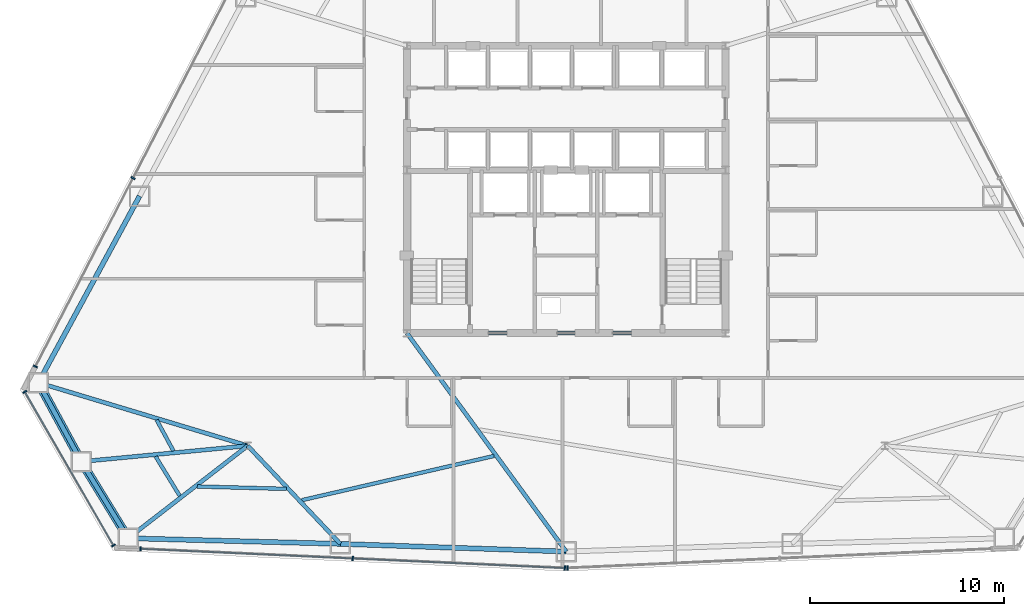
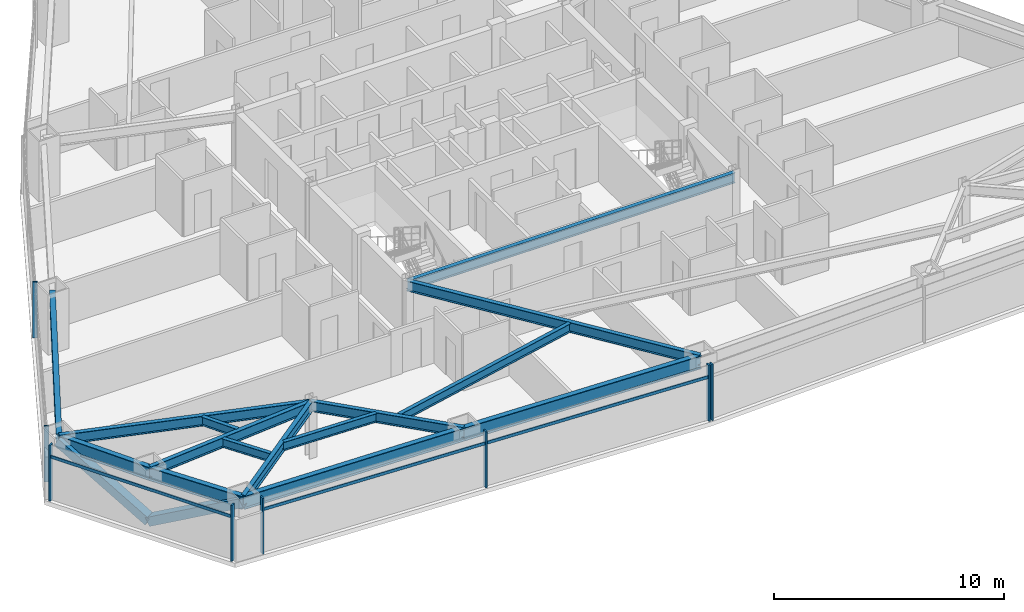
# One storey, part 4 of 13: 15 beams, 12 members, 4 elements without a shape of their own.
"""IFC4 building model written with IfcOpenShell, lengths in metres."""

from ifc_helpers import new_model, si_unit, direction, frame, origin, origin_2d, place, context, subcontext, project, spatial, rectangle, hollow_rectangle, i_section, extrude, source, transform, mapped, material, layer, layer_set, material_profile, profile_set, type_object, type_shapes, element, aggregate, save


model = new_model("IFC4")

# Units and contexts
model_context = context("Model", 3, precision=1e-05, world=origin(), true_north=direction((0.0, 1.0)))
body_context = subcontext(model_context, "Body", "Model", "MODEL_VIEW")
ifc_project = project(units=[si_unit("LENGTHUNIT", "METRE"), si_unit("AREAUNIT", "SQUARE_METRE"), si_unit("VOLUMEUNIT", "CUBIC_METRE"), si_unit("PLANEANGLEUNIT", "RADIAN"), si_unit("MASSUNIT", "GRAM", prefix="KILO")], contexts=[model_context])

# Site, building, storey
site_placement = place(None, origin())
site = spatial("IfcSite", under=ifc_project, at=site_placement, CompositionType="ELEMENT")
building_placement = place(site_placement, origin())
building = spatial("IfcBuilding", under=site, at=building_placement, Name="Varakhsha Concourse Tower", CompositionType="ELEMENT")
storey_placement = place(building_placement, frame((0.0, 0.0, 83.0)))
storey = spatial("IfcBuildingStorey", under=building, at=storey_placement, Name="L23", CompositionType="ELEMENT", Elevation=83.0)

# Beams
ifc_material_1 = material(Name="Structural Steel ASTM A992 Grade 50", Category="steel")
ifc_material_profile_1 = material_profile(ifc_material_1, i_section(OverallWidth=0.19091796875, OverallDepth=0.45703125, WebThickness=0.009033203125, FlangeThickness=0.013916015625, at=origin_2d()), Name="W18X50")
ifc_profile_set_1 = profile_set([ifc_material_profile_1], Name="Structural Steel ASTM A992 Grade 50")
beam_type_1 = type_object("IfcBeamType", Name="BM-JST-W18X50", PredefinedType="JOIST", material=ifc_profile_set_1)
beam_1_placement = place(storey_placement, frame((18.910400390625, 11.93310546875, 2.741455078125), z_axis=(0.477504293562, -0.878629415414, 0.0), x_axis=(0.878629415414, 0.477504293562, 0.0)))
element("IfcBeam", 1, at=beam_1_placement, inside=storey, type_object=beam_type_1, Name="BM-TJST-L23-07", PredefinedType="JOIST", context=body_context, shape_type="SweptSolid", body=[
    extrude(i_section(OverallWidth=0.19091796875, OverallDepth=0.45703125, WebThickness=0.009033203125, FlangeThickness=0.013916015625, at=origin_2d()), origin(), (0.0, 0.0, 1.0), 1.815673828125),
])
beam_2_placement = place(storey_placement, frame((18.859130859375, 10.049560546875, 2.741455078125), z_axis=(0.522107999924, -0.852879379757, 0.0), x_axis=(0.852879379757, 0.522107999924, 0.0)))
element("IfcBeam", 2, at=beam_2_placement, inside=storey, type_object=beam_type_1, Name="BM-TJST-L23-08", PredefinedType="JOIST", context=body_context, shape_type="SweptSolid", body=[
    extrude(i_section(OverallWidth=0.19091796875, OverallDepth=0.45703125, WebThickness=0.009033203125, FlangeThickness=0.013916015625, at=origin_2d()), origin(), (0.0, 0.0, 1.0), 2.370849609375),
])
beam_3_placement = place(storey_placement, frame((21.002685546875, 8.502197265625, 2.741455078125), z_axis=(0.999648856186, -0.026498383477, 0.0), x_axis=(0.026498383477, 0.999648856186, 0.0)))
element("IfcBeam", 3, at=beam_3_placement, inside=storey, type_object=beam_type_1, Name="BM-TJST-L23-09", PredefinedType="JOIST", context=body_context, shape_type="SweptSolid", body=[
    extrude(i_section(OverallWidth=0.19091796875, OverallDepth=0.45703125, WebThickness=0.009033203125, FlangeThickness=0.013916015625, at=origin_2d()), origin(), (0.0, 0.0, 1.0), 4.58837890625),
])
beam_4_placement = place(storey_placement, frame((26.37890625, 7.796142578125, 2.741455078125), z_axis=(0.974514510129, 0.224324473804, 0.0), x_axis=(-0.224324473804, 0.974514510129, 0.0)))
element("IfcBeam", 4, at=beam_4_placement, inside=storey, type_object=beam_type_1, Name="BM-TJST-L23-10", PredefinedType="JOIST", context=body_context, shape_type="SweptSolid", body=[
    extrude(i_section(OverallWidth=0.19091796875, OverallDepth=0.45703125, WebThickness=0.009033203125, FlangeThickness=0.013916015625, at=origin_2d()), origin(), (0.0, 0.0, 1.0), 10.1650390625),
])
ifc_material_profile_2 = material_profile(ifc_material_1, i_section(OverallWidth=0.2109375, OverallDepth=0.5390625, WebThickness=0.011962890625, FlangeThickness=0.01904296875, at=origin_2d()), Name="W21X73")
ifc_profile_set_2 = profile_set([ifc_material_profile_2], Name="Structural Steel ASTM A992 Grade 50")
beam_type_2 = type_object("IfcBeamType", Name="BM-RAD-W21X73", PredefinedType="BEAM", material=ifc_profile_set_2)
beam_5_placement = place(storey_placement, frame((31.800048828125, 16.39990234375, 2.700439453125), z_axis=(1.0, 0.0, 0.0), x_axis=(0.0, 1.0, 0.0)))
element("IfcBeam", 5, at=beam_5_placement, inside=storey, type_object=beam_type_2, Name="BM-TCORE-L23-CS", PredefinedType="BEAM", context=body_context, shape_type="SweptSolid", body=[
    extrude(i_section(OverallWidth=0.2109375, OverallDepth=0.5390625, WebThickness=0.011962890625, FlangeThickness=0.01904296875, at=origin_2d()), origin(), (0.0, 0.0, 1.0), 16.39990234375),
])
beam_6_placement = place(storey_placement, frame((23.60009765625, 10.60009765625, 2.700439453125), z_axis=(-0.957434410413, 0.288650913313, 0.0), x_axis=(-0.288650913313, -0.957434410413, 0.0)))
element("IfcBeam", 6, at=beam_6_placement, inside=storey, type_object=beam_type_2, Name="L23 Radial Floor Girder 07", PredefinedType="BEAM", context=body_context, shape_type="SweptSolid", body=[
    extrude(i_section(OverallWidth=0.2109375, OverallDepth=0.5390625, WebThickness=0.011962890625, FlangeThickness=0.01904296875, at=origin_2d()), origin(), (0.0, 0.0, 1.0), 11.2568359375),
])
beam_7_placement = place(storey_placement, frame((23.60009765625, 10.60009765625, 2.700439453125), z_axis=(-0.995499423712, -0.094767596724, 0.0), x_axis=(0.094767596724, -0.995499423712, 0.0)))
element("IfcBeam", 7, at=beam_7_placement, inside=storey, type_object=beam_type_2, Name="L23 Radial Floor Girder 08", PredefinedType="BEAM", context=body_context, shape_type="SweptSolid", body=[
    extrude(i_section(OverallWidth=0.2109375, OverallDepth=0.5390625, WebThickness=0.011962890625, FlangeThickness=0.01904296875, at=origin_2d()), origin(), (0.0, 0.0, 1.0), 8.607177734375),
])
beam_8_placement = place(storey_placement, frame((23.60009765625, 10.60009765625, 2.700439453125), z_axis=(-0.790863829476, -0.611992159449, 0.0), x_axis=(0.611992159449, -0.790863829476, 0.0)))
element("IfcBeam", 8, at=beam_8_placement, inside=storey, type_object=beam_type_2, Name="L23 Radial Floor Girder 09", PredefinedType="BEAM", context=body_context, shape_type="SweptSolid", body=[
    extrude(i_section(OverallWidth=0.2109375, OverallDepth=0.5390625, WebThickness=0.011962890625, FlangeThickness=0.01904296875, at=origin_2d()), origin(), (0.0, 0.0, 1.0), 7.77978515625),
])
beam_9_placement = place(storey_placement, frame((23.60009765625, 10.60009765625, 2.700439453125), z_axis=(0.686667898497, -0.726971249207, 0.0), x_axis=(0.726971249207, 0.686667898497, 0.0)))
element("IfcBeam", 9, at=beam_9_placement, inside=storey, type_object=beam_type_2, Name="L23 Radial Floor Girder 10", PredefinedType="BEAM", context=body_context, shape_type="SweptSolid", body=[
    extrude(i_section(OverallWidth=0.2109375, OverallDepth=0.5390625, WebThickness=0.011962890625, FlangeThickness=0.01904296875, at=origin_2d()), origin(), (0.0, 0.0, 1.0), 6.947998046875),
])
beam_10_placement = place(storey_placement, frame((31.800048828125, 16.39990234375, 2.700439453125), z_axis=(0.589090089307, -0.808067365187, 0.0), x_axis=(0.808067365187, 0.589090089307, 0.0)))
element("IfcBeam", 10, at=beam_10_placement, inside=storey, type_object=beam_type_2, Name="L23 Radial Floor Girder 11", PredefinedType="BEAM", context=body_context, shape_type="SweptSolid", body=[
    extrude(i_section(OverallWidth=0.2109375, OverallDepth=0.5390625, WebThickness=0.011962890625, FlangeThickness=0.01904296875, at=origin_2d()), origin(), (0.0, 0.0, 1.0), 13.919677734375),
])
ifc_material_profile_3 = material_profile(ifc_material_1, i_section(OverallWidth=0.25390625, OverallDepth=0.701904296875, WebThickness=0.014892578125, FlangeThickness=0.028076171875, at=origin_2d()), Name="W27X129")
ifc_profile_set_3 = profile_set([ifc_material_profile_3], Name="Structural Steel ASTM A992 Grade 50")
beam_type_3 = type_object("IfcBeamType", Name="BM-SPAN-W27X129", PredefinedType="SPANDREL", material=ifc_profile_set_3)
beam_11_placement = place(storey_placement, frame((18.033203125, 23.45458984375, 2.618896484375), z_axis=(-0.476839407103, -0.878990432163, 0.0), x_axis=(0.878990432163, -0.476839407103, 0.0)))
element("IfcBeam", 11, at=beam_11_placement, inside=storey, type_object=beam_type_3, Name="BM-SPAN-L23-06", PredefinedType="SPANDREL", context=body_context, shape_type="SweptSolid", body=[
    extrude(i_section(OverallWidth=0.25390625, OverallDepth=0.701904296875, WebThickness=0.014892578125, FlangeThickness=0.028076171875, at=origin_2d()), origin(), (0.0, 0.0, 1.0), 10.927490234375),
])
beam_12_placement = place(storey_placement, frame((12.822509765625, 13.849365234375, 2.618896484375), z_axis=(0.47751686281, -0.878622584351, 0.0), x_axis=(0.878622584351, 0.47751686281, 0.0)))
element("IfcBeam", 12, at=beam_12_placement, inside=storey, type_object=beam_type_3, Name="BM-SPAN-L23-07", PredefinedType="SPANDREL", context=body_context, shape_type="SweptSolid", body=[
    extrude(i_section(OverallWidth=0.25390625, OverallDepth=0.701904296875, WebThickness=0.014892578125, FlangeThickness=0.028076171875, at=origin_2d()), origin(), (0.0, 0.0, 1.0), 4.62646484375),
])
beam_13_placement = place(storey_placement, frame((15.03173828125, 9.784423828125, 2.618896484375), z_axis=(0.522135058867, -0.852862814468, 0.0), x_axis=(0.852862814468, 0.522135058867, 0.0)))
element("IfcBeam", 13, at=beam_13_placement, inside=storey, type_object=beam_type_3, Name="BM-SPAN-L23-08", PredefinedType="SPANDREL", context=body_context, shape_type="SweptSolid", body=[
    extrude(i_section(OverallWidth=0.25390625, OverallDepth=0.701904296875, WebThickness=0.014892578125, FlangeThickness=0.028076171875, at=origin_2d()), origin(), (0.0, 0.0, 1.0), 4.626220703125),
])
beam_14_placement = place(storey_placement, frame((17.447265625, 5.8388671875, 2.618896484375), z_axis=(0.999648299755, -0.026519366436, 0.0), x_axis=(0.026519366436, 0.999648299755, 0.0)))
element("IfcBeam", 14, at=beam_14_placement, inside=storey, type_object=beam_type_3, Name="BM-SPAN-L23-09", PredefinedType="SPANDREL", context=body_context, shape_type="SweptSolid", body=[
    extrude(i_section(OverallWidth=0.25390625, OverallDepth=0.701904296875, WebThickness=0.014892578125, FlangeThickness=0.028076171875, at=origin_2d()), origin(), (0.0, 0.0, 1.0), 10.927734375),
])
beam_15_placement = place(storey_placement, frame((28.37109375, 5.549072265625, 2.618896484375), z_axis=(0.999417135447, -0.034137799785, 0.0), x_axis=(0.034137799785, 0.999417135447, 0.0)))
element("IfcBeam", 15, at=beam_15_placement, inside=storey, type_object=beam_type_3, Name="BM-SPAN-L23-10", PredefinedType="SPANDREL", context=body_context, shape_type="SweptSolid", body=[
    extrude(i_section(OverallWidth=0.25390625, OverallDepth=0.701904296875, WebThickness=0.014892578125, FlangeThickness=0.028076171875, at=origin_2d()), origin(), (0.0, 0.0, 1.0), 11.6357421875),
])

# Members
ifc_material_2 = material(Name="Structural Steel ASTM A500 Grade C", Category="steel")
ifc_material_profile_4 = material_profile(ifc_material_2, hollow_rectangle(XDim=0.449951171875, YDim=0.449951171875, WallThickness=0.01904296875, at=origin_2d()), Name="HSS 450x450x19")
ifc_profile_set_4 = profile_set([ifc_material_profile_4], Name="Structural Steel ASTM A500 Grade C")
member_type_1 = type_object("IfcMemberType", Name="MB-TUBE-HSS450", PredefinedType="BRACE", material=ifc_profile_set_4)
shared_shape_1 = source(origin(), body_context, "Body", "SweptSolid", [
    extrude(hollow_rectangle(XDim=0.449951171875, YDim=0.449951171875, WallThickness=0.01904296875, at=origin_2d()), origin(), (0.0, 0.0, 1.0), 5.282470703125),
])
member_1_placement = place(storey_placement, frame((15.03173828125, 9.784423828125, 0.1201171875), z_axis=(0.457278846545, -0.746925756925, 0.48269863284), x_axis=(0.852862814468, 0.522135058867, 0.0)))
element("IfcMember", 16, at=member_1_placement, inside=storey, type_object=member_type_1, Name="L23 Wind-Corner Tube Brace B04", PredefinedType="BRACE", context=body_context, shape_type="MappedRepresentation", body=[
    mapped(shared_shape_1, transform((0.0, 0.0, 0.0), scale=1.0)),
])
shared_shape_2 = source(origin(), body_context, "Body", "SweptSolid", [
    extrude(hollow_rectangle(XDim=0.449951171875, YDim=0.449951171875, WallThickness=0.01904296875, at=origin_2d()), origin(), (0.0, 0.0, 1.0), 5.28271484375),
])
type_shapes(member_type_1, [shared_shape_1, shared_shape_2])
member_2_placement = place(storey_placement, frame((15.03173828125, 9.784423828125, 0.1201171875), z_axis=(-0.418207952701, 0.769495238421, 0.48267917538), x_axis=(-0.878622584351, -0.47751686281, 0.0)))
element("IfcMember", 17, at=member_2_placement, inside=storey, type_object=member_type_1, Name="L23 Wind-Corner Tube Brace B03", PredefinedType="BRACE", context=body_context, shape_type="MappedRepresentation", body=[
    mapped(shared_shape_2, transform((0.0, 0.0, 0.0), scale=1.0)),
])

# Curtain wall, members
ifc_material_3 = material(Name="Anodised Bronze Architectural Aluminium AA 6063-T6", Category="aluminium")
ifc_layer = layer(ifc_material_3, 0.199951171875, Name="CW-SYS-03")
ifc_layer_set = layer_set([ifc_layer], Name="Anodised Bronze Architectural Aluminium AA 6063-T6")
curtain_wall_type = type_object("IfcCurtainWallType", Name="CW-SYS-03", PredefinedType="NOTDEFINED", material=ifc_layer_set)
curtain_wall_1_placement = place(storey_placement, origin())
curtain_wall_1 = element("IfcCurtainWall", 18, at=curtain_wall_1_placement, inside=storey, type_object=curtain_wall_type, Name="L23 Crystal Curtain Wall F3", PredefinedType="NOTDEFINED")
ifc_material_profile_5 = material_profile(ifc_material_3, rectangle(XDim=0.074951171875, YDim=0.219970703125, at=origin_2d()), Name="CWM-220X75")
ifc_profile_set_5 = profile_set([ifc_material_profile_5], Name="Anodised Bronze Architectural Aluminium AA 6063-T6")
member_type_2 = type_object("IfcMemberType", Name="CWM-220X75", PredefinedType="MULLION", material=ifc_profile_set_5)
shared_shape_3 = source(origin(), body_context, "Body", "SweptSolid", [
    extrude(rectangle(XDim=0.074951171875, YDim=0.219970703125, at=origin_2d()), origin(), (0.0, 0.0, 1.0), 2.969970703125),
])
type_shapes(member_type_2, [shared_shape_3])
member_3_placement = place(storey_placement, frame((12.672119140625, 14.67626953125, 0.0), z_axis=(0.0, 0.0, 1.0), x_axis=(0.460185838956, 0.887822613828, 0.0)))
member_3 = element("IfcMember", 19, at=member_3_placement, type_object=member_type_2, Name="CW-L23-F3 Mullion 00", PredefinedType="MULLION", context=body_context, shape_type="MappedRepresentation", body=[
    mapped(shared_shape_3, transform((0.0, 0.0, 0.0), scale=1.0)),
])
member_4_placement = place(storey_placement, frame((17.702392578125, 24.380859375, 0.0), z_axis=(0.0, 0.0, 1.0), x_axis=(0.460185838956, 0.887822613828, 0.0)))
member_4 = element("IfcMember", 20, at=member_4_placement, type_object=member_type_2, Name="CW-L23-F3 Mullion 01", PredefinedType="MULLION", context=body_context, shape_type="MappedRepresentation", body=[
    mapped(shared_shape_3, transform((0.0, 0.0, 0.0), scale=1.0)),
])
aggregate(curtain_wall_1, [member_3, member_4])

curtain_wall_2_placement = place(storey_placement, origin())
curtain_wall_2 = element("IfcCurtainWall", 21, at=curtain_wall_2_placement, inside=storey, type_object=curtain_wall_type, Name="L23 Chamfer Curtain Wall F4", PredefinedType="NOTDEFINED")
member_5_placement = place(storey_placement, frame((16.69091796875, 5.470458984375, 0.0), z_axis=(0.0, 0.0, 1.0), x_axis=(-0.499996976998, 0.866027149108, 0.0)))
member_5 = element("IfcMember", 22, at=member_5_placement, type_object=member_type_2, Name="CW-L23-F4 Mullion 00", PredefinedType="MULLION", context=body_context, shape_type="MappedRepresentation", body=[
    mapped(shared_shape_3, transform((0.0, 0.0, 0.0), scale=1.0)),
])
member_6_placement = place(storey_placement, frame((12.125244140625, 13.378662109375, 0.0), z_axis=(0.0, 0.0, 1.0), x_axis=(-0.499996976998, 0.866027149108, 0.0)))
member_6 = element("IfcMember", 23, at=member_6_placement, type_object=member_type_2, Name="CW-L23-F4 Mullion 01", PredefinedType="MULLION", context=body_context, shape_type="MappedRepresentation", body=[
    mapped(shared_shape_3, transform((0.0, 0.0, 0.0), scale=1.0)),
])

curtain_wall_3_placement = place(storey_placement, origin())
curtain_wall_3 = element("IfcCurtainWall", 24, at=curtain_wall_3_placement, inside=storey, type_object=curtain_wall_type, Name="L23 Crystal Curtain Wall F5", PredefinedType="NOTDEFINED")
member_7_placement = place(storey_placement, frame((39.92724609375, 4.30322265625, 0.0), z_axis=(0.0, 0.0, 1.0), x_axis=(-0.998969777905, 0.045380423448, 0.0)))
member_7 = element("IfcMember", 25, at=member_7_placement, type_object=member_type_2, Name="CW-L23-F5 Mullion 00", PredefinedType="MULLION", context=body_context, shape_type="MappedRepresentation", body=[
    mapped(shared_shape_3, transform((0.0, 0.0, 0.0), scale=1.0)),
])
member_8_placement = place(storey_placement, frame((29.0078125, 4.79931640625, 0.0), z_axis=(0.0, 0.0, 1.0), x_axis=(-0.998969777905, 0.045380423448, 0.0)))
member_8 = element("IfcMember", 26, at=member_8_placement, type_object=member_type_2, Name="CW-L23-F5 Mullion 01", PredefinedType="MULLION", context=body_context, shape_type="MappedRepresentation", body=[
    mapped(shared_shape_3, transform((0.0, 0.0, 0.0), scale=1.0)),
])
member_9_placement = place(storey_placement, frame((18.088134765625, 5.29541015625, 0.0), z_axis=(0.0, 0.0, 1.0), x_axis=(-0.998969777905, 0.045380423448, 0.0)))
member_9 = element("IfcMember", 27, at=member_9_placement, type_object=member_type_2, Name="CW-L23-F5 Mullion 02", PredefinedType="MULLION", context=body_context, shape_type="MappedRepresentation", body=[
    mapped(shared_shape_3, transform((0.0, 0.0, 0.0), scale=1.0)),
])

# Curtain wall, member
curtain_wall_4_placement = place(storey_placement, origin())
curtain_wall_4 = element("IfcCurtainWall", 28, at=curtain_wall_4_placement, inside=storey, type_object=curtain_wall_type, Name="L23 Crystal Curtain Wall F6", PredefinedType="NOTDEFINED")
member_10_placement = place(storey_placement, frame((40.07275390625, 4.30322265625, 0.0), z_axis=(0.0, 0.0, 1.0), x_axis=(-0.998969777905, -0.045380423448, 0.0)))
member_10 = element("IfcMember", 29, at=member_10_placement, type_object=member_type_2, Name="CW-L23-F6 Mullion 02", PredefinedType="MULLION", context=body_context, shape_type="MappedRepresentation", body=[
    mapped(shared_shape_3, transform((0.0, 0.0, 0.0), scale=1.0)),
])
aggregate(curtain_wall_4, [member_10])

# Member
ifc_material_profile_6 = material_profile(ifc_material_3, rectangle(XDim=0.06494140625, YDim=0.159912109375, at=origin_2d()), Name="CWT-160X65")
ifc_profile_set_6 = profile_set([ifc_material_profile_6], Name="Anodised Bronze Architectural Aluminium AA 6063-T6")
member_type_3 = type_object("IfcMemberType", Name="CWT-160X65", PredefinedType="USERDEFINED", material=ifc_profile_set_6)
shared_shape_4 = source(origin(), body_context, "Body", "SweptSolid", [
    extrude(rectangle(XDim=0.06494140625, YDim=0.159912109375, at=origin_2d()), origin(), (0.0, 0.0, 1.0), 21.861572265625),
])
member_11_placement = place(storey_placement, frame((39.92724609375, 4.30322265625, 2.320068359375), z_axis=(-0.998969576113, 0.045384865318, 0.0), x_axis=(-0.045384865318, -0.998969576113, 0.0)))
member_11 = element("IfcMember", 30, at=member_11_placement, type_object=member_type_3, Name="CW-L23-F5 Transom 01", ObjectType="TRANSOM", PredefinedType="USERDEFINED", context=body_context, shape_type="MappedRepresentation", body=[
    mapped(shared_shape_4, transform((0.0, 0.0, 0.0), scale=1.0)),
])

aggregate(curtain_wall_3, [member_7, member_8, member_9, member_11])

shared_shape_5 = source(origin(), body_context, "Body", "SweptSolid", [
    extrude(rectangle(XDim=0.06494140625, YDim=0.159912109375, at=origin_2d()), origin(), (0.0, 0.0, 1.0), 9.131591796875),
])
type_shapes(member_type_3, [shared_shape_4, shared_shape_5])
member_12_placement = place(storey_placement, frame((16.69091796875, 5.470458984375, 2.320068359375), z_axis=(-0.499989374027, 0.866031538606, 0.0), x_axis=(-0.866031538606, -0.499989374027, 0.0)))
member_12 = element("IfcMember", 31, at=member_12_placement, type_object=member_type_3, Name="CW-L23-F4 Transom 01", ObjectType="TRANSOM", PredefinedType="USERDEFINED", context=body_context, shape_type="MappedRepresentation", body=[
    mapped(shared_shape_5, transform((0.0, 0.0, 0.0), scale=1.0)),
])

aggregate(curtain_wall_2, [member_5, member_6, member_12])

save(model, "model.ifc")
